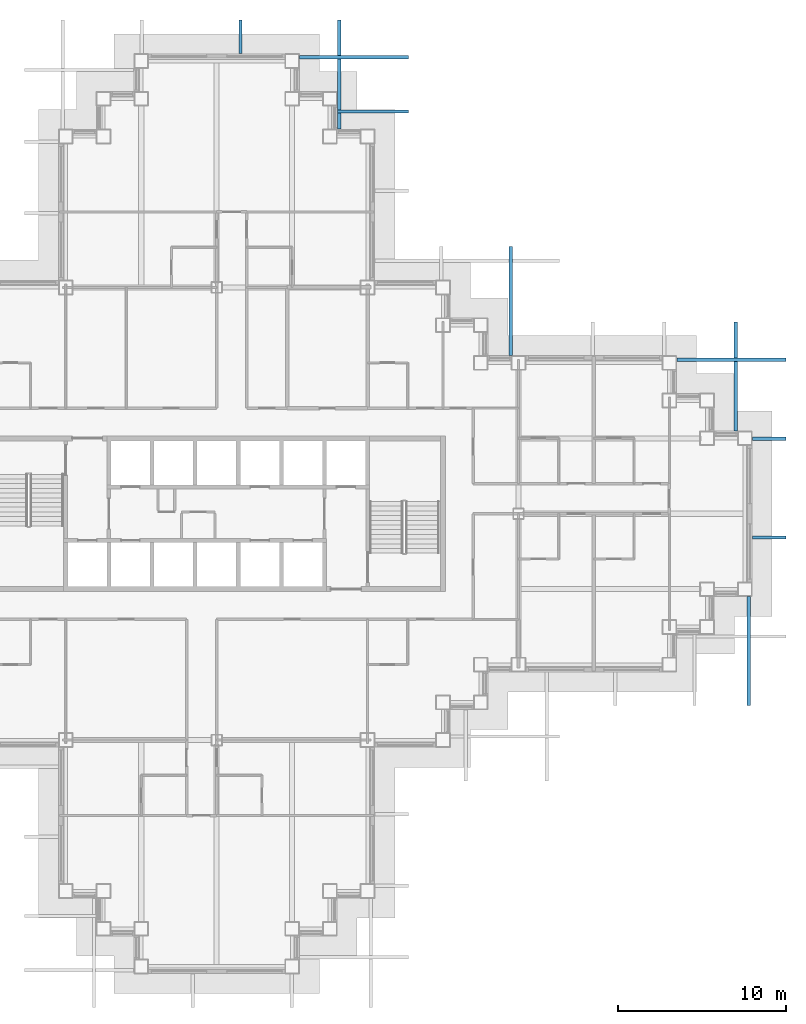
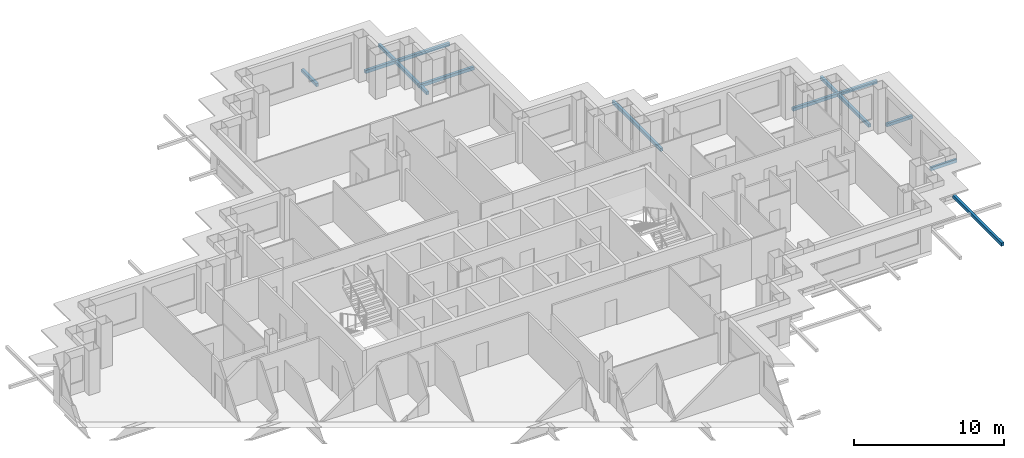
# One storey, part 12 of 17: 10 discrete accessories.
"""IFC4 building model written with IfcOpenShell, lengths in metres."""

from ifc_helpers import new_model, si_unit, direction, frame, origin, origin_2d, place, context, subcontext, project, spatial, rectangle, extrude, material, type_object, element, save


model = new_model("IFC4")

# Units and contexts
model_context = context("Model", 3, precision=1e-05, world=origin(), true_north=direction((0.0, 1.0)))
body_context = subcontext(model_context, "Body", "Model", "MODEL_VIEW")
ifc_project = project(units=[si_unit("LENGTHUNIT", "METRE"), si_unit("AREAUNIT", "SQUARE_METRE"), si_unit("VOLUMEUNIT", "CUBIC_METRE"), si_unit("PLANEANGLEUNIT", "RADIAN"), si_unit("MASSUNIT", "GRAM", prefix="KILO")], contexts=[model_context])

# Site, building, storey
site_placement = place(None, origin())
site = spatial("IfcSite", under=ifc_project, at=site_placement, CompositionType="ELEMENT")
building_placement = place(site_placement, origin())
building = spatial("IfcBuilding", under=site, at=building_placement, Name="Caravel Reach Hotel and Residences", CompositionType="ELEMENT")
storey_placement = place(building_placement, frame((0.0, 0.0, 126.0)))
storey = spatial("IfcBuildingStorey", under=building, at=storey_placement, Name="L31", CompositionType="ELEMENT", Elevation=126.0)

# Discrete accessories
ifc_material = material(Name="Black powder-coated aluminium", Category="aluminium")
discrete_accessory_type = type_object("IfcDiscreteAccessoryType", Name="BR1 Screen bracket", PredefinedType="BRACKET", material=ifc_material)
discrete_accessory_1_placement = place(storey_placement, frame((63.22998046875, 18.800048828125, 0.10009765625), z_axis=(0.0, 0.0, 1.0), x_axis=(0.0, -1.0, 0.0)))
element("IfcDiscreteAccessory", 1, at=discrete_accessory_1_placement, inside=storey, type_object=discrete_accessory_type, Name="Screen bracket L31 6.3.2", PredefinedType="BRACKET", context=body_context, shape_type="SweptSolid", body=[
    extrude(rectangle(XDim=6.5, YDim=0.199951171875, at=origin_2d()), origin(), (0.0, 0.0, 1.0), 0.25),
])
for number, where, z_axis, x_axis, name in (
    (2, (64.449951171875, 25.580078125, 0.10009765625), (0.0, 0.0, 1.0), (1.0, 0.0, 0.0), "Screen bracket L31 7.2.2"),
    (3, (64.449951171875, 31.47998046875, 0.10009765625), (0.0, 0.0, 1.0), (1.0, 0.0, 0.0), "Screen bracket L31 7.3.2"),
):
    element("IfcDiscreteAccessory", number, at=place(storey_placement, frame(where, z_axis=z_axis, x_axis=x_axis)), inside=storey, type_object=discrete_accessory_type, Name=name, PredefinedType="BRACKET", context=body_context, shape_type="SweptSolid", body=[
        extrude(rectangle(XDim=2.0, YDim=0.199951171875, at=origin_2d()), origin(), (0.0, 0.0, 1.0), 0.25),
    ])
for number, where, z_axis, x_axis, name in (
    (4, (62.199951171875, 36.179931640625, 0.10009765625), (0.0, 0.0, 1.0), (1.0, 0.0, 0.0), "Screen bracket L31 7.4.2"),
    (5, (62.46337890625, 35.199951171875, 0.10009765625), (0.0, 0.0, 1.0), (0.0, 1.0, 0.0), "Screen bracket L31 8.1.2"),
    (6, (49.044921875, 39.699951171875, 0.10009765625), (0.0, 0.0, 1.0), (0.0, 1.0, 0.0), "Screen bracket L31 10.1.2"),
):
    element("IfcDiscreteAccessory", number, at=place(storey_placement, frame(where, z_axis=z_axis, x_axis=x_axis)), inside=storey, type_object=discrete_accessory_type, Name=name, PredefinedType="BRACKET", context=body_context, shape_type="SweptSolid", body=[
        extrude(rectangle(XDim=6.5, YDim=0.199951171875, at=origin_2d()), origin(), (0.0, 0.0, 1.0), 0.25),
    ])
discrete_accessory_2_placement = place(storey_placement, frame((40.824951171875, 50.99658203125, 0.10009765625), z_axis=(0.0, 0.0, 1.0), x_axis=(1.0, 0.0, 0.0)))
element("IfcDiscreteAccessory", 7, at=discrete_accessory_2_placement, inside=storey, type_object=discrete_accessory_type, Name="Screen bracket L31 11.2.2", PredefinedType="BRACKET", context=body_context, shape_type="SweptSolid", body=[
    extrude(rectangle(XDim=4.25, YDim=0.199951171875, at=origin_2d()), origin(), (0.0, 0.0, 1.0), 0.25),
])
for number, where, z_axis, x_axis, name in (
    (8, (39.699951171875, 54.22998046875, 0.10009765625), (0.0, 0.0, 1.0), (1.0, 0.0, 0.0), "Screen bracket L31 11.3.2"),
    (9, (38.820068359375, 53.199951171875, 0.10009765625), (0.0, 0.0, 1.0), (0.0, 1.0, 0.0), "Screen bracket L31 12.1.2"),
):
    element("IfcDiscreteAccessory", number, at=place(storey_placement, frame(where, z_axis=z_axis, x_axis=x_axis)), inside=storey, type_object=discrete_accessory_type, Name=name, PredefinedType="BRACKET", context=body_context, shape_type="SweptSolid", body=[
        extrude(rectangle(XDim=6.5, YDim=0.199951171875, at=origin_2d()), origin(), (0.0, 0.0, 1.0), 0.25),
    ])
discrete_accessory_3_placement = place(storey_placement, frame((32.919921875, 55.449951171875, 0.10009765625), z_axis=(0.0, 0.0, 1.0), x_axis=(0.0, 1.0, 0.0)))
element("IfcDiscreteAccessory", 10, at=discrete_accessory_3_placement, inside=storey, type_object=discrete_accessory_type, Name="Screen bracket L31 12.2.2", PredefinedType="BRACKET", context=body_context, shape_type="SweptSolid", body=[
    extrude(rectangle(XDim=2.0, YDim=0.199951171875, at=origin_2d()), origin(), (0.0, 0.0, 1.0), 0.25),
])

save(model, "model.ifc")
